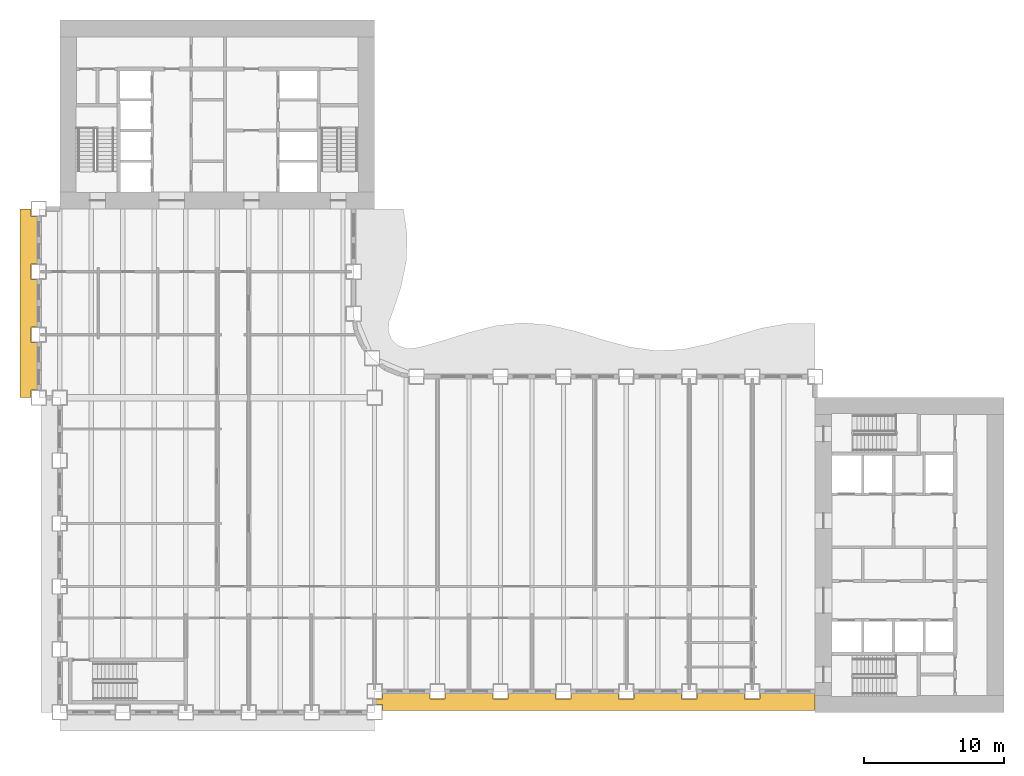
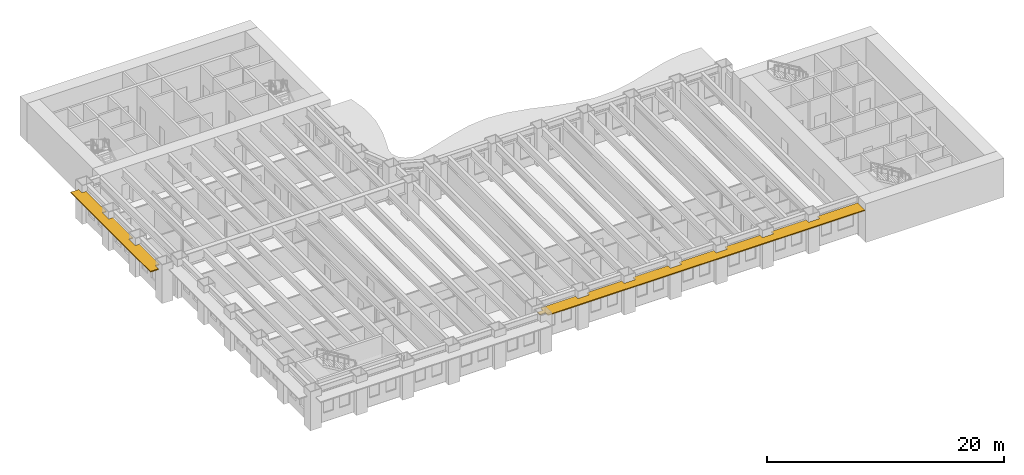
# One storey, part 13 of 17: 2 shading devices.
"""IFC4 building model written with IfcOpenShell, lengths in metres."""

from ifc_helpers import new_model, si_unit, direction, frame, origin, place, context, subcontext, project, spatial, polyline, outline, extrude, material, layer, layer_set, type_object, element, save


model = new_model("IFC4")

# Units and contexts
model_context = context("Model", 3, precision=1e-05, world=origin(), true_north=direction((0.0, 1.0)))
body_context = subcontext(model_context, "Body", "Model", "MODEL_VIEW")
ifc_project = project(units=[si_unit("LENGTHUNIT", "METRE"), si_unit("AREAUNIT", "SQUARE_METRE"), si_unit("VOLUMEUNIT", "CUBIC_METRE"), si_unit("PLANEANGLEUNIT", "RADIAN"), si_unit("MASSUNIT", "GRAM", prefix="KILO")], contexts=[model_context])

# Site, building, storey
site_placement = place(None, origin())
site = spatial("IfcSite", under=ifc_project, at=site_placement, CompositionType="ELEMENT")
building_placement = place(site_placement, origin())
building = spatial("IfcBuilding", under=site, at=building_placement, Name="Sennacour Bend Tower", CompositionType="ELEMENT")
storey_placement = place(building_placement, frame((0.0, 0.0, 53.0)))
storey = spatial("IfcBuildingStorey", under=building, at=storey_placement, Name="L11", CompositionType="ELEMENT", Elevation=53.0)

# Shading devices
ifc_material = material(Name="Bronze anodised aluminium", Category="aluminium")
ifc_layer = layer(ifc_material, 0.10009765625, Name="Bronze anodised aluminium", Category="aluminium")
ifc_layer_set = layer_set([ifc_layer], Name="Bronze anodised aluminium")
shading_device_type = type_object("IfcShadingDeviceType", Name="SUNSHADE BAND STRAIGHT", PredefinedType="USERDEFINED", material=ifc_layer_set)
shading_device_1_placement = place(storey_placement, frame((0.0, 0.0, 3.0439453125)))
element("IfcShadingDevice", 1, at=shading_device_1_placement, inside=storey, type_object=shading_device_type, Name="Sunshade band L11 A outer face", ObjectType="SUNSHADE", PredefinedType="USERDEFINED", context=body_context, shape_type="SweptSolid", body=[
    extrude(outline(polyline([(26.449951171875, 1.35009765625), (26.449951171875, 0.949951171875), (27.550048828125, 0.949951171875), (27.550048828125, 1.35009765625), (30.949951171875, 1.35009765625), (30.949951171875, 0.949951171875), (32.050048828125, 0.949951171875), (32.050048828125, 1.35009765625), (35.449951171875, 1.35009765625), (35.449951171875, 0.949951171875), (36.550048828125, 0.949951171875), (36.550048828125, 1.35009765625), (39.949951171875, 1.35009765625), (39.949951171875, 0.949951171875), (41.050048828125, 0.949951171875), (41.050048828125, 1.35009765625), (44.449951171875, 1.35009765625), (44.449951171875, 0.949951171875), (45.550048828125, 0.949951171875), (45.550048828125, 1.35009765625), (48.949951171875, 1.35009765625), (48.949951171875, 0.949951171875), (50.050048828125, 0.949951171875), (50.050048828125, 1.35009765625), (54.0, 1.35009765625), (54.0, 0.14990234375), (23.050048828125, 0.14990234375), (23.050048828125, 0.550048828125), (22.5, 0.550048828125), (22.5, 0.949951171875), (23.050048828125, 0.949951171875), (23.050048828125, 1.35009765625), (26.449951171875, 1.35009765625)])), origin(), (0.0, 0.0, 1.0), 0.10009765625),
])
shading_device_2_placement = place(storey_placement, frame((0.0, 0.0, 3.0439453125)))
element("IfcShadingDevice", 2, at=shading_device_2_placement, inside=storey, type_object=shading_device_type, Name="Sunshade band L11 B outer face", ObjectType="SUNSHADE", PredefinedType="USERDEFINED", context=body_context, shape_type="SweptSolid", body=[
    extrude(outline(polyline([(-1.64990234375, 32.050048828125), (-2.050048828125, 32.050048828125), (-2.050048828125, 30.949951171875), (-1.64990234375, 30.949951171875), (-1.64990234375, 27.550048828125), (-2.050048828125, 27.550048828125), (-2.050048828125, 26.449951171875), (-1.64990234375, 26.449951171875), (-1.64990234375, 23.050048828125), (-2.050048828125, 23.050048828125), (-2.050048828125, 22.5), (-2.85009765625, 22.5), (-2.85009765625, 36.0), (-2.050048828125, 36.0), (-2.050048828125, 35.449951171875), (-1.64990234375, 35.449951171875), (-1.64990234375, 32.050048828125)])), origin(), (0.0, 0.0, 1.0), 0.10009765625),
])

save(model, "model.ifc")
